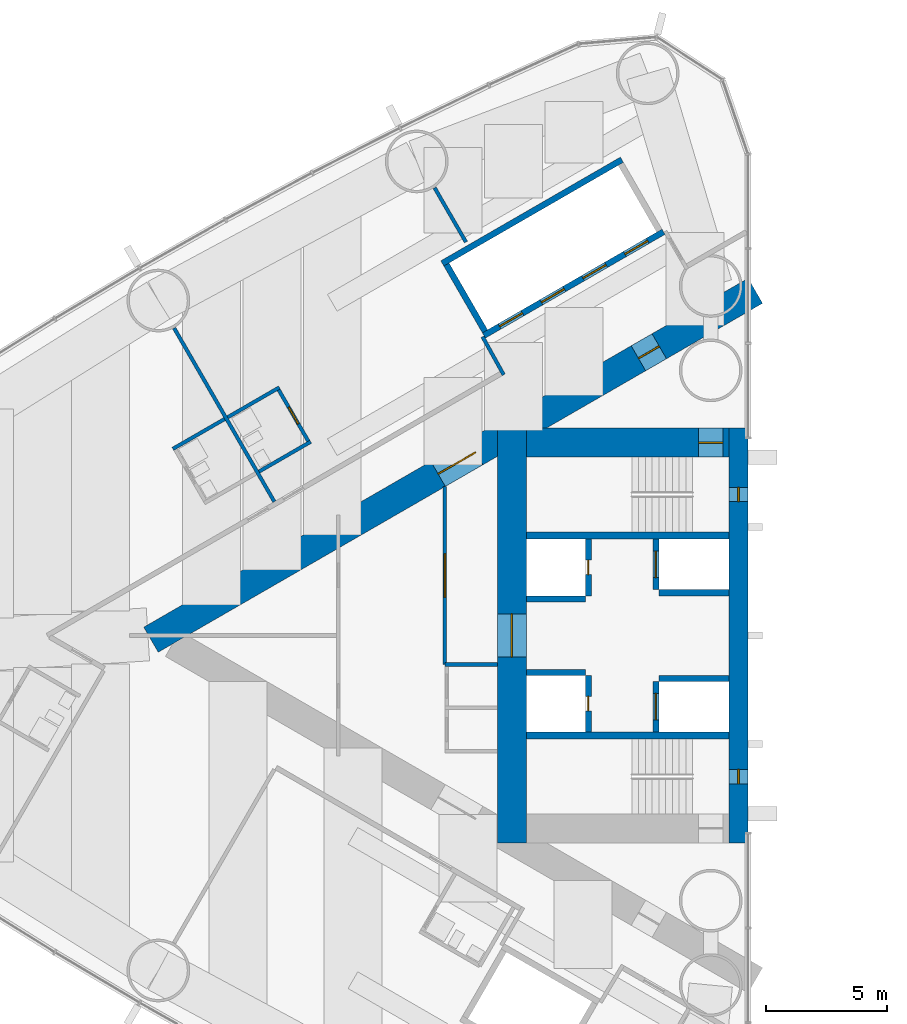
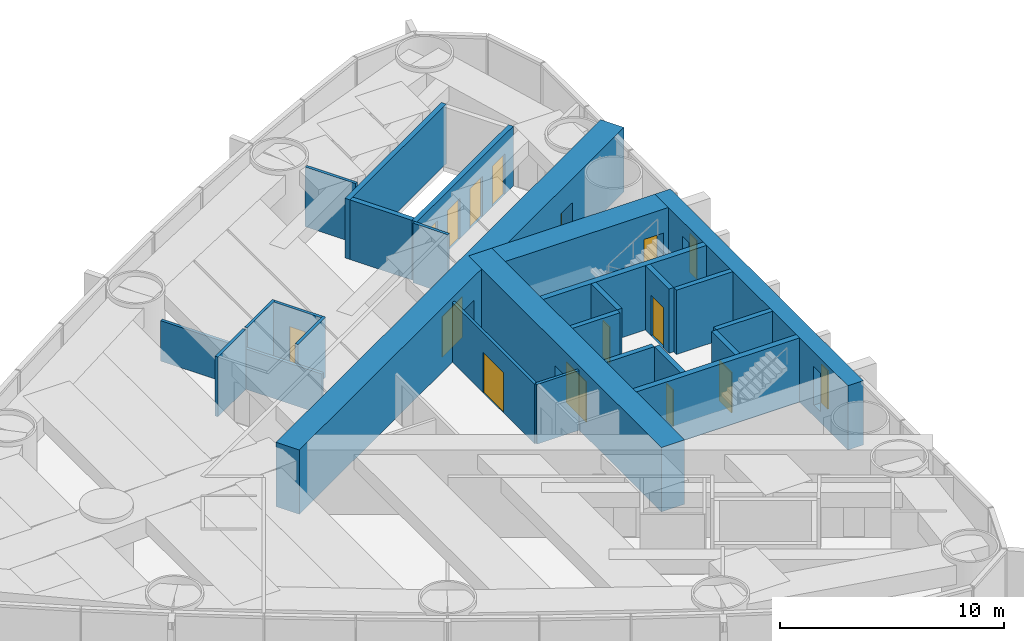
# One storey, part 12 of 19: 26 walls, 14 doors, 2 windows, 16 openings.
"""IFC4 building model written with IfcOpenShell, lengths in metres."""

import ifcopenshell
import ifcopenshell.guid

model = None  # the IFC model being written
_history = None  # IfcOwnerHistory: only IFC2X3 demands one
_inside = {}  # id of a spatial element -> (the spatial element, [elements in it])
_under = {}  # id of a project, library or spatial element -> (it, [spatial elements below it])
_declared = {}  # id of a project -> (the project, [libraries it declares])
_typed = {}  # id of a type object -> (the type object, [elements of that type])
_made_of = {}  # id of a material, layer set ... -> (it, [elements and type objects made of it])


def new_model(schema):
    """Start an empty IFC model of exactly this schema.

    Asked for "IFC4X3", IfcOpenShell would pick the latest addendum, in which some entities
    have other attributes; the version numbers below select the first issue.
    IFC2X3 requires an IfcOwnerHistory on every rooted entity: one is made here for all.
    """
    global model, _history
    if schema == "IFC4X3":
        model = ifcopenshell.file(schema_version=(4, 3, 0, 0))
    else:
        model = ifcopenshell.file(schema=schema)
    _inside.clear()
    _under.clear()
    _declared.clear()
    _typed.clear()
    _made_of.clear()
    _history = None
    if model.schema == "IFC2X3":
        org = make("IfcOrganization", Name="unknown")
        user = make(
            "IfcPersonAndOrganization",
            ThePerson=make("IfcPerson", FamilyName="unknown"),
            TheOrganization=org,
        )
        app = make(
            "IfcApplication",
            ApplicationDeveloper=org,
            Version="unknown",
            ApplicationFullName="unknown",
            ApplicationIdentifier="unknown",
        )
        _history = make(
            "IfcOwnerHistory",
            OwningUser=user,
            OwningApplication=app,
            ChangeAction="ADDED",
            CreationDate=0,
        )
    return model


def make(cls, **values):
    """One entity of the class cls with the attributes given. An attribute that is None is left unset."""
    return model.create_entity(
        cls, **{name: value for name, value in values.items() if value is not None}
    )


def rooted(cls, **values):
    """An entity with a GlobalId (a new one), such as an element, a storey or a relation."""
    return make(cls, GlobalId=ifcopenshell.guid.new(), OwnerHistory=_history, **values)


def si_unit(unit_type, name, prefix=None):
    """IfcSIUnit, for example si_unit("LENGTHUNIT", "METRE", prefix="MILLI")."""
    return make("IfcSIUnit", UnitType=unit_type, Prefix=prefix, Name=name)


def assignment(units):
    """IfcUnitAssignment: the units of a project."""
    return None if units is None else make("IfcUnitAssignment", Units=units)


def point(xyz):
    """IfcCartesianPoint."""
    return None if xyz is None else make("IfcCartesianPoint", Coordinates=xyz)


def direction(xyz):
    """IfcDirection."""
    return None if xyz is None else make("IfcDirection", DirectionRatios=xyz)


def frame(location, z_axis=None, x_axis=None):
    """IfcAxis2Placement3D, a coordinate frame: its origin and axes. An axis left out is left unset."""
    return make(
        "IfcAxis2Placement3D",
        Location=point(location),
        Axis=direction(z_axis),
        RefDirection=direction(x_axis),
    )


def frame_2d(location, x_axis=None):
    """IfcAxis2Placement2D, a coordinate frame in the plane: its origin and x axis."""
    return make(
        "IfcAxis2Placement2D", Location=point(location), RefDirection=direction(x_axis)
    )


def origin():
    """The frame at (0, 0, 0) with its axes left unset."""
    return frame((0.0, 0.0, 0.0))


def place(relative_to, where):
    """IfcLocalPlacement: puts the frame where relative to a parent placement (None: the world)."""
    return make(
        "IfcLocalPlacement", PlacementRelTo=relative_to, RelativePlacement=where
    )


def context(
    kind, dimensions, precision=None, world=None, true_north=None, identifier=None
):
    """IfcGeometricRepresentationContext, for example the 3D "Model" context."""
    return make(
        "IfcGeometricRepresentationContext",
        ContextIdentifier=identifier,
        ContextType=kind,
        CoordinateSpaceDimension=dimensions,
        Precision=precision,
        WorldCoordinateSystem=world,
        TrueNorth=true_north,
    )


def subcontext(parent, identifier, kind, view, scale=None):
    """IfcGeometricRepresentationSubContext, for example "Body" below "Model"."""
    return make(
        "IfcGeometricRepresentationSubContext",
        ContextIdentifier=identifier,
        ContextType=kind,
        ParentContext=parent,
        TargetScale=scale,
        TargetView=view,
    )


def project(units=None, contexts=None):
    """IfcProject with its units and contexts."""
    return rooted(
        "IfcProject",
        Name="project",
        RepresentationContexts=contexts,
        UnitsInContext=assignment(units),
    )


def spatial(cls, under=None, at=None, **own):
    """A site, building, storey or space (cls), placed at a placement, below another one or the project."""
    s = rooted(cls, ObjectPlacement=at, **own)
    if under is not None:
        _under.setdefault(under.id(), (under, []))[1].append(s)
    return s


def profile(cls, at=None, kind="AREA", **sizes):
    """A parametric profile (cls). Its sizes go by their IFC names, for example OverallWidth=200.0."""
    return make(cls, ProfileType=kind, Position=at, **sizes)


def rectangle(**sizes):
    """IfcRectangleProfileDef."""
    return profile("IfcRectangleProfileDef", **sizes)


def extrude(swept, where, along, depth):
    """IfcExtrudedAreaSolid: the profile swept, set in the frame where, extruded along a direction by depth."""
    return make(
        "IfcExtrudedAreaSolid",
        SweptArea=swept,
        Position=where,
        ExtrudedDirection=direction(along),
        Depth=depth,
    )


def shape(context_of_items, identifier, shape_type, items):
    """IfcShapeRepresentation: the items that make up one representation, for example the "Body"."""
    return make(
        "IfcShapeRepresentation",
        ContextOfItems=context_of_items,
        RepresentationIdentifier=identifier,
        RepresentationType=shape_type,
        Items=items,
    )


def material(Name=None, Category=None):
    """IfcMaterial."""
    return make("IfcMaterial", Name=Name, Category=Category)


def layer(
    of_material, thickness, ventilated=None, Name=None, Category=None, Priority=None
):
    """IfcMaterialLayer: one layer of a wall or slab, of a material (None: an air gap)."""
    return make(
        "IfcMaterialLayer",
        Material=of_material,
        LayerThickness=thickness,
        IsVentilated=ventilated,
        Name=Name,
        Category=Category,
        Priority=Priority,
    )


def layer_set(layers, Name=None):
    """IfcMaterialLayerSet."""
    return make("IfcMaterialLayerSet", MaterialLayers=layers, LayerSetName=Name)


def made_of(thing, what):
    """Note that an element or type object is made of a material, layer set ...; save() writes the relation."""
    if what is not None:
        _made_of.setdefault(what.id(), (what, []))[1].append(thing)
    return thing


def type_object(cls, material=None, **own):
    """A type object (cls), such as IfcWallType, which elements share."""
    return made_of(rooted(cls, **own), material)


def element(
    cls,
    number,
    at=None,
    inside=None,
    cuts=None,
    type_object=None,
    material=None,
    context=None,
    identifier="Body",
    shape_type=None,
    held_by="IfcProductDefinitionShape",
    body=None,
    shapes=None,
    **own,
):
    """One element of the class cls, such as IfcWall. Its Tag is "e" and its number.

    at: its placement. inside: the storey or other place that contains it. cuts: it is an
    opening in that element (IfcRelVoidsElement). A single representation is given by context,
    identifier, shape_type and body (its items); several are given by shapes. held_by: the class
    of the entity that holds the representations. save() writes the other relations.
    """
    e = rooted(cls, Tag="e%d" % number, ObjectPlacement=at, **own)
    if body is not None:
        shapes = [shape(context, identifier, shape_type, body)]
    if shapes is not None:
        e.Representation = make(held_by, Representations=shapes)
    if inside is not None:
        _inside.setdefault(inside.id(), (inside, []))[1].append(e)
    if cuts is not None:
        rooted(
            "IfcRelVoidsElement", RelatingBuildingElement=cuts, RelatedOpeningElement=e
        )
    if type_object is not None:
        _typed.setdefault(type_object.id(), (type_object, []))[1].append(e)
    return made_of(e, material)


def fill(opening, filler):
    """IfcRelFillsElement: the door or window that sits in an opening."""
    return rooted(
        "IfcRelFillsElement",
        RelatingOpeningElement=opening,
        RelatedBuildingElement=filler,
    )


def aggregate(whole, parts):
    """IfcRelAggregates: a whole, such as a stair, and the parts it consists of."""
    return rooted("IfcRelAggregates", RelatingObject=whole, RelatedObjects=parts)


def save(model, path):
    """Write the relations noted so far, then the file.

    IfcRelAggregates (storeys below a building ...), IfcRelContainedInSpatialStructure (elements
    in a storey), IfcRelDefinesByType, IfcRelAssociatesMaterial and IfcRelDeclares: one each for
    every whole, place, type object, material and project.
    """
    for whole, parts in _under.values():
        aggregate(whole, parts)
    for where, things in _inside.values():
        rooted(
            "IfcRelContainedInSpatialStructure",
            RelatedElements=things,
            RelatingStructure=where,
        )
    for kind, things in _typed.values():
        rooted("IfcRelDefinesByType", RelatedObjects=things, RelatingType=kind)
    for what, things in _made_of.values():
        rooted("IfcRelAssociatesMaterial", RelatedObjects=things, RelatingMaterial=what)
    for by, libraries in _declared.values():
        rooted("IfcRelDeclares", RelatingContext=by, RelatedDefinitions=libraries)
    model.write(path)


model = new_model("IFC4")

# Units and contexts
model_context = context("Model", 3, precision=1e-05, world=origin(), true_north=direction((0.0, 1.0)))
body_context = subcontext(model_context, "Body", "Model", "MODEL_VIEW")
ifc_project = project(units=[si_unit("LENGTHUNIT", "METRE"), si_unit("AREAUNIT", "SQUARE_METRE"), si_unit("VOLUMEUNIT", "CUBIC_METRE"), si_unit("PLANEANGLEUNIT", "RADIAN"), si_unit("MASSUNIT", "GRAM", prefix="KILO")], contexts=[model_context])

# Site, building, storey
site_placement = place(None, origin())
site = spatial("IfcSite", under=ifc_project, at=site_placement, CompositionType="ELEMENT")
building_placement = place(site_placement, origin())
building = spatial("IfcBuilding", under=site, at=building_placement, Name="Lancet Gate Hotel", CompositionType="ELEMENT")
storey_placement = place(building_placement, frame((0.0, 0.0, 111.60009765625)))
storey = spatial("IfcBuildingStorey", under=building, at=storey_placement, Name="L29", CompositionType="ELEMENT", Elevation=111.60009765625)

# Walls
ifc_material_1 = material(Name="Moisture resistant board partition")
ifc_layer_1 = layer(ifc_material_1, 0.14990234375)
ifc_layer_set_1 = layer_set([ifc_layer_1], Name="Bathroom wall 150")
wall_type_1 = type_object("IfcWallType", Name="Bathroom wall 150", PredefinedType="PARTITIONING", material=ifc_layer_set_1)
wall_1_placement = place(storey_placement, frame((-49.216064453125, 8.97900390625, 0.0), z_axis=(0.0, 0.0, 1.0), x_axis=(-0.866031185235, -0.4999899861, 0.0)))
element("IfcWall", 1, at=wall_1_placement, inside=storey, type_object=wall_type_1, Name="T1 bathroom wall 150 L29", PredefinedType="PARTITIONING", context=body_context, shape_type="SweptSolid", body=[
    extrude(rectangle(XDim=2.47509765625, YDim=0.14990234375, at=frame_2d((1.237548828125, 0.0))), origin(), (0.0, 0.0, 1.0), 3.25),
])
wall_2_placement = place(storey_placement, frame((-46.94287109375, 10.29150390625, 0.0), z_axis=(0.0, 0.0, 1.0), x_axis=(-0.866006523861, -0.500032699561, 0.0)))
element("IfcWall", 2, at=wall_2_placement, inside=storey, type_object=wall_type_1, Name="T1 bathroom wall 150 L29", PredefinedType="PARTITIONING", context=body_context, shape_type="SweptSolid", body=[
    extrude(rectangle(XDim=2.474853515625, YDim=0.14990234375, at=frame_2d((1.2373046875, 0.0))), origin(), (0.0, 0.0, 1.0), 3.25),
])

# Wall, opening, door
wall_3_placement = place(storey_placement, frame((-45.707763671875, 8.00244140625, 0.0), z_axis=(0.0, 0.0, 1.0), x_axis=(-0.500047596559, 0.865997922154, 0.0)))
wall_3 = element("IfcWall", 3, at=wall_3_placement, inside=storey, type_object=wall_type_1, Name="T1 bathroom wall 150 L29", PredefinedType="PARTITIONING", context=body_context, shape_type="SweptSolid", body=[
    extrude(rectangle(XDim=2.599853515625, YDim=0.14990234375, at=frame_2d((1.2998046875, 0.0))), origin(), (0.0, 0.0, 1.0), 3.25),
])
opening_1_placement = place(wall_3_placement, frame((0.89990234375, 0.0, 0.0)))
opening_1 = element("IfcOpeningElement", 4, at=opening_1_placement, cuts=wall_3, Name="Opening 2902-B", PredefinedType="OPENING", context=body_context, shape_type="SweptSolid", body=[
    extrude(rectangle(XDim=0.800048828125, YDim=2.199951171875, at=frame_2d((0.39990234375, 1.10009765625))), frame((0.0, 0.0849609375, 0.0), z_axis=(0.0, -1.0, 0.0), x_axis=(1.0, 0.0, 0.0)), (0.0, 0.0, 1.0), 0.169921875),
])
ifc_material_2 = material(Name="Timber door set", Category="wood")
door_type_1 = type_object("IfcDoorType", Name="Bathroom door 800", OperationType="SINGLE_SWING_RIGHT", PredefinedType="DOOR", material=ifc_material_2)
door_1_placement = place(opening_1_placement, origin())
door_1 = element("IfcDoor", 5, at=door_1_placement, inside=storey, type_object=door_type_1, Name="2902-B", OperationType="SINGLE_SWING_RIGHT", OverallHeight=2.199951171875, OverallWidth=0.800048828125, PredefinedType="DOOR", context=body_context, shape_type="SweptSolid", body=[
    extrude(rectangle(XDim=0.800048828125, YDim=2.199951171875, at=frame_2d((0.39990234375, 1.10009765625))), frame((0.0, 0.02490234375, 0.0), z_axis=(0.0, -1.0, 0.0), x_axis=(1.0, 0.0, 0.0)), (0.0, 0.0, 1.0), 0.050048828125),
])
fill(opening_1, door_1)

# Wall
wall_4_placement = place(storey_placement, frame((-45.642822265625, 8.039794921875, 0.0), z_axis=(0.0, 0.0, 1.0), x_axis=(-0.866006523861, -0.500032699561, 0.0)))
element("IfcWall", 6, at=wall_4_placement, inside=storey, type_object=wall_type_1, Name="T1 bathroom wall 150 L29", PredefinedType="PARTITIONING", context=body_context, shape_type="SweptSolid", body=[
    extrude(rectangle(XDim=2.474853515625, YDim=0.14990234375, at=frame_2d((1.2373046875, 0.0))), origin(), (0.0, 0.0, 1.0), 3.25),
])

# Wall, openings, doors
ifc_material_3 = material(Name="Concrete C70/85", Category="concrete")
ifc_layer_2 = layer(ifc_material_3, 1.199951171875)
ifc_layer_set_2 = layer_set([ifc_layer_2], Name="Buttress wall 1200")
wall_type_2 = type_object("IfcWallType", Name="Buttress wall 1200", PredefinedType="SHEAR", material=ifc_layer_set_2)
wall_5_placement = place(storey_placement, frame((-27.199951171875, 14.300048828125, 0.0), z_axis=(0.0, 0.0, 1.0), x_axis=(-0.866026593062, -0.499997940104, 0.0)))
wall_5 = element("IfcWall", 7, at=wall_5_placement, inside=storey, type_object=wall_type_2, Name="T1 buttress wall S L29", PredefinedType="SHEAR", context=body_context, shape_type="SweptSolid", body=[
    extrude(rectangle(XDim=28.9462890625, YDim=1.199951171875, at=frame_2d((14.47314453125, 0.0))), origin(), (0.0, 0.0, 1.0), 3.5),
])
opening_2_placement = place(wall_5_placement, frame((4.60009765625, 0.0, 0.0)))
opening_2 = element("IfcOpeningElement", 8, at=opening_2_placement, cuts=wall_5, Name="Opening T1-L29-LS", PredefinedType="OPENING", context=body_context, shape_type="SweptSolid", body=[
    extrude(rectangle(XDim=1.0, YDim=2.199951171875, at=frame_2d((0.5, 1.10009765625))), frame((0.0, 0.60986328125, 0.0), z_axis=(0.0, -1.0, 0.0), x_axis=(1.0, 0.0, 0.0)), (0.0, 0.0, 1.0), 1.219970703125),
])
opening_3_placement = place(wall_5_placement, frame((13.39453125, 0.0, 0.0)))
opening_3 = element("IfcOpeningElement", 9, at=opening_3_placement, cuts=wall_5, Name="Opening T1-L29-LHS", PredefinedType="OPENING", context=body_context, shape_type="SweptSolid", body=[
    extrude(rectangle(XDim=1.800048828125, YDim=2.199951171875, at=frame_2d((0.89990234375, 1.10009765625))), frame((0.0, 0.60986328125, 0.0), z_axis=(0.0, -1.0, 0.0), x_axis=(1.0, 0.0, 0.0)), (0.0, 0.0, 1.0), 1.219970703125),
])
ifc_material_4 = material(Name="Timber door set", Category="wood")
door_type_2 = type_object("IfcDoorType", Name="Lobby double door 1800", OperationType="DOUBLE_DOOR_SINGLE_SWING", PredefinedType="DOOR", material=ifc_material_4)
door_2_placement = place(opening_3_placement, origin())
door_2 = element("IfcDoor", 10, at=door_2_placement, inside=storey, type_object=door_type_2, Name="T1-L29-LHS", OperationType="DOUBLE_DOOR_SINGLE_SWING", OverallHeight=2.199951171875, OverallWidth=1.800048828125, PredefinedType="DOOR", context=body_context, shape_type="SweptSolid", body=[
    extrude(rectangle(XDim=1.800048828125, YDim=2.199951171875, at=frame_2d((0.89990234375, 1.10009765625))), frame((0.0, 0.02490234375, 0.0), z_axis=(0.0, -1.0, 0.0), x_axis=(1.0, 0.0, 0.0)), (0.0, 0.0, 1.0), 0.050048828125),
])
fill(opening_3, door_2)
ifc_material_5 = material(Name="Timber door set", Category="wood")
door_type_3 = type_object("IfcDoorType", Name="Stair lobby door 1000", OperationType="SINGLE_SWING_LEFT", PredefinedType="DOOR", material=ifc_material_5)
door_3_placement = place(opening_2_placement, origin())
door_3 = element("IfcDoor", 11, at=door_3_placement, inside=storey, type_object=door_type_3, Name="T1-L29-LS", OperationType="SINGLE_SWING_LEFT", OverallHeight=2.199951171875, OverallWidth=1.0, PredefinedType="DOOR", context=body_context, shape_type="SweptSolid", body=[
    extrude(rectangle(XDim=1.0, YDim=2.199951171875, at=frame_2d((0.5, 1.10009765625))), frame((0.0, 0.02490234375, 0.0), z_axis=(0.0, -1.0, 0.0), x_axis=(1.0, 0.0, 0.0)), (0.0, 0.0, 1.0), 0.050048828125),
])
fill(opening_2, door_3)

# Wall, opening, door
ifc_material_6 = material(Name="Concrete C70/85", Category="concrete")
ifc_layer_3 = layer(ifc_material_6, 1.199951171875)
ifc_layer_set_3 = layer_set([ifc_layer_3], Name="Core wall 1200")
wall_type_3 = type_object("IfcWallType", Name="Core wall 1200", PredefinedType="SHEAR", material=ifc_layer_set_3)
wall_6_placement = place(storey_placement, frame((-37.300048828125, 8.60009765625, 0.0), z_axis=(0.0, 0.0, 1.0), x_axis=(0.0, -1.0, 0.0)))
wall_6 = element("IfcWall", 12, at=wall_6_placement, inside=storey, type_object=wall_type_3, Name="T1 core wall back L29", PredefinedType="SHEAR", context=body_context, shape_type="SweptSolid", body=[
    extrude(rectangle(XDim=17.2001953125, YDim=1.199951171875, at=frame_2d((8.60009765625, 0.0))), origin(), (0.0, 0.0, 1.0), 3.5),
])
opening_4_placement = place(wall_6_placement, frame((7.699951171875, 0.0, 0.0)))
opening_4 = element("IfcOpeningElement", 13, at=opening_4_placement, cuts=wall_6, Name="Opening T1-L29-LL", PredefinedType="OPENING", context=body_context, shape_type="SweptSolid", body=[
    extrude(rectangle(XDim=1.800048828125, YDim=2.199951171875, at=frame_2d((0.89990234375, 1.10009765625))), frame((0.0, 0.60986328125, 0.0), z_axis=(0.0, -1.0, 0.0), x_axis=(1.0, 0.0, 0.0)), (0.0, 0.0, 1.0), 1.219970703125),
])
door_4_placement = place(opening_4_placement, origin())
door_4 = element("IfcDoor", 14, at=door_4_placement, inside=storey, type_object=door_type_2, Name="T1-L29-LL", OperationType="DOUBLE_DOOR_SINGLE_SWING", OverallHeight=2.199951171875, OverallWidth=1.800048828125, PredefinedType="DOOR", context=body_context, shape_type="SweptSolid", body=[
    extrude(rectangle(XDim=1.800048828125, YDim=2.199951171875, at=frame_2d((0.89990234375, 1.10009765625))), frame((0.0, 0.02490234375, 0.0), z_axis=(0.0, -1.0, 0.0), x_axis=(1.0, 0.0, 0.0)), (0.0, 0.0, 1.0), 0.050048828125),
])
fill(opening_4, door_4)

wall_7_placement = place(storey_placement, frame((-28.300048828125, 8.0, 0.0), z_axis=(0.0, 0.0, 1.0), x_axis=(-1.0, 0.0, 0.0)))
wall_7 = element("IfcWall", 15, at=wall_7_placement, inside=storey, type_object=wall_type_3, Name="T1 core wall side-S L29", PredefinedType="SHEAR", context=body_context, shape_type="SweptSolid", body=[
    extrude(rectangle(XDim=8.39990234375, YDim=1.199951171875, at=frame_2d((4.199951171875, 0.0))), origin(), (0.0, 0.0, 1.0), 3.5),
])
opening_5_placement = place(wall_7_placement, frame((0.25, 0.0, 0.0)))
opening_5 = element("IfcOpeningElement", 16, at=opening_5_placement, cuts=wall_7, Name="Opening T1-L29-ST1", PredefinedType="OPENING", context=body_context, shape_type="SweptSolid", body=[
    extrude(rectangle(XDim=1.0, YDim=2.199951171875, at=frame_2d((0.5, 1.10009765625))), frame((0.0, 0.60986328125, 0.0), z_axis=(0.0, -1.0, 0.0), x_axis=(1.0, 0.0, 0.0)), (0.0, 0.0, 1.0), 1.219970703125),
])
ifc_material_7 = material(Name="Timber door set", Category="wood")
door_type_4 = type_object("IfcDoorType", Name="Stair door 1000", OperationType="SINGLE_SWING_RIGHT", PredefinedType="DOOR", material=ifc_material_7)
door_5_placement = place(opening_5_placement, origin())
door_5 = element("IfcDoor", 17, at=door_5_placement, inside=storey, type_object=door_type_4, Name="T1-L29-ST1", OperationType="SINGLE_SWING_RIGHT", OverallHeight=2.199951171875, OverallWidth=1.0, PredefinedType="DOOR", context=body_context, shape_type="SweptSolid", body=[
    extrude(rectangle(XDim=1.0, YDim=2.199951171875, at=frame_2d((0.5, 1.10009765625))), frame((0.0, 0.02490234375, 0.0), z_axis=(0.0, -1.0, 0.0), x_axis=(1.0, 0.0, 0.0)), (0.0, 0.0, 1.0), 0.050048828125),
])
fill(opening_5, door_5)

# Wall, openings, windows
ifc_material_8 = material(Name="Concrete C70/85", Category="concrete")
ifc_layer_4 = layer(ifc_material_8, 0.800048828125)
ifc_layer_set_4 = layer_set([ifc_layer_4], Name="Core wall 800")
wall_type_4 = type_object("IfcWallType", Name="Core wall 800", PredefinedType="SHEAR", material=ifc_layer_set_4)
wall_8_placement = place(storey_placement, frame((-27.89990234375, 8.60009765625, 0.0), z_axis=(0.0, 0.0, 1.0), x_axis=(0.0, -1.0, 0.0)))
wall_8 = element("IfcWall", 18, at=wall_8_placement, inside=storey, type_object=wall_type_4, Name="T1 core wall front L29", PredefinedType="SHEAR", context=body_context, shape_type="SweptSolid", body=[
    extrude(rectangle(XDim=17.2001953125, YDim=0.800048828125, at=frame_2d((8.60009765625, 0.0))), origin(), (0.0, 0.0, 1.0), 3.5),
])
opening_6_placement = place(wall_8_placement, frame((2.449951171875, 0.0, 0.60009765625)))
opening_6 = element("IfcOpeningElement", 19, at=opening_6_placement, cuts=wall_8, Name="Opening LW1", PredefinedType="OPENING", context=body_context, shape_type="SweptSolid", body=[
    extrude(rectangle(XDim=0.60009765625, YDim=2.10009765625, at=frame_2d((0.300048828125, 1.050048828125))), frame((0.0, 0.409912109375, 0.0), z_axis=(0.0, -1.0, 0.0), x_axis=(1.0, 0.0, 0.0)), (0.0, 0.0, 1.0), 0.820068359375),
])
opening_7_placement = place(wall_8_placement, frame((14.14990234375, 0.0, 0.60009765625)))
opening_7 = element("IfcOpeningElement", 20, at=opening_7_placement, cuts=wall_8, Name="Opening LW1", PredefinedType="OPENING", context=body_context, shape_type="SweptSolid", body=[
    extrude(rectangle(XDim=0.60009765625, YDim=2.10009765625, at=frame_2d((0.300048828125, 1.050048828125))), frame((0.0, 0.409912109375, 0.0), z_axis=(0.0, -1.0, 0.0), x_axis=(1.0, 0.0, 0.0)), (0.0, 0.0, 1.0), 0.820068359375),
])
ifc_material_9 = material(Name="Fire-resisting glazed steel window", Category="steel")
window_type = type_object("IfcWindowType", Name="Lancet window 600x2100", PartitioningType="SINGLE_PANEL", PredefinedType="WINDOW", material=ifc_material_9)
window_1_placement = place(opening_6_placement, origin())
window_1 = element("IfcWindow", 21, at=window_1_placement, inside=storey, type_object=window_type, Name="T1 stair window S L29", OverallHeight=2.10009765625, OverallWidth=0.60009765625, PartitioningType="SINGLE_PANEL", PredefinedType="WINDOW", context=body_context, shape_type="SweptSolid", body=[
    extrude(rectangle(XDim=0.60009765625, YDim=2.10009765625, at=frame_2d((0.300048828125, 1.050048828125))), frame((0.0, 0.030029296875, 0.0), z_axis=(0.0, -1.0, 0.0), x_axis=(1.0, 0.0, 0.0)), (0.0, 0.0, 1.0), 0.06005859375),
])
fill(opening_6, window_1)
window_2_placement = place(opening_7_placement, origin())
window_2 = element("IfcWindow", 22, at=window_2_placement, inside=storey, type_object=window_type, Name="T1 stair window N L29", OverallHeight=2.10009765625, OverallWidth=0.60009765625, PartitioningType="SINGLE_PANEL", PredefinedType="WINDOW", context=body_context, shape_type="SweptSolid", body=[
    extrude(rectangle(XDim=0.60009765625, YDim=2.10009765625, at=frame_2d((0.300048828125, 1.050048828125))), frame((0.0, 0.030029296875, 0.0), z_axis=(0.0, -1.0, 0.0), x_axis=(1.0, 0.0, 0.0)), (0.0, 0.0, 1.0), 0.06005859375),
])
fill(opening_7, window_2)

# Wall, openings, doors
ifc_material_10 = material(Name="Gypsum board partition")
ifc_layer_5 = layer(ifc_material_10, 0.25)
ifc_layer_set_5 = layer_set([ifc_layer_5], Name="Lift shaft partition 250")
wall_type_5 = type_object("IfcWallType", Name="Lift shaft partition 250", PredefinedType="PARTITIONING", material=ifc_layer_set_5)
wall_9_placement = place(storey_placement, frame((-31.010498046875, 16.747314453125, 0.0), z_axis=(0.0, 0.0, 1.0), x_axis=(-0.866028165386, -0.499995216735, 0.0)))
wall_9 = element("IfcWall", 23, at=wall_9_placement, inside=storey, type_object=wall_type_5, Name="T1 lift shaft wall LR L29", PredefinedType="PARTITIONING", context=body_context, shape_type="SweptSolid", body=[
    extrude(rectangle(XDim=8.60009765625, YDim=0.25, at=frame_2d((4.300048828125, 0.0))), origin(), (0.0, 0.0, 1.0), 3.25),
])
opening_8_placement = place(wall_9_placement, frame((0.75, 0.0, 0.0)))
opening_8 = element("IfcOpeningElement", 24, at=opening_8_placement, cuts=wall_9, Name="Opening T1-LR1-L29", PredefinedType="OPENING", context=body_context, shape_type="SweptSolid", body=[
    extrude(rectangle(XDim=1.10009765625, YDim=2.199951171875, at=frame_2d((0.550048828125, 1.10009765625))), frame((0.0, 0.135009765625, 0.0), z_axis=(0.0, -1.0, 0.0), x_axis=(1.0, 0.0, 0.0)), (0.0, 0.0, 1.0), 0.27001953125),
])
opening_9_placement = place(wall_9_placement, frame((2.75, 0.0, 0.0)))
opening_9 = element("IfcOpeningElement", 25, at=opening_9_placement, cuts=wall_9, Name="Opening T1-LR2-L29", PredefinedType="OPENING", context=body_context, shape_type="SweptSolid", body=[
    extrude(rectangle(XDim=1.10009765625, YDim=2.199951171875, at=frame_2d((0.550048828125, 1.10009765625))), frame((0.0, 0.135009765625, 0.0), z_axis=(0.0, -1.0, 0.0), x_axis=(1.0, 0.0, 0.0)), (0.0, 0.0, 1.0), 0.27001953125),
])
opening_10_placement = place(wall_9_placement, frame((4.75, 0.0, 0.0)))
opening_10 = element("IfcOpeningElement", 26, at=opening_10_placement, cuts=wall_9, Name="Opening T1-LR3-L29", PredefinedType="OPENING", context=body_context, shape_type="SweptSolid", body=[
    extrude(rectangle(XDim=1.10009765625, YDim=2.199951171875, at=frame_2d((0.550048828125, 1.10009765625))), frame((0.0, 0.135009765625, 0.0), z_axis=(0.0, -1.0, 0.0), x_axis=(1.0, 0.0, 0.0)), (0.0, 0.0, 1.0), 0.27001953125),
])
opening_11_placement = place(wall_9_placement, frame((6.75, 0.0, 0.0)))
opening_11 = element("IfcOpeningElement", 27, at=opening_11_placement, cuts=wall_9, Name="Opening T1-LR4-L29", PredefinedType="OPENING", context=body_context, shape_type="SweptSolid", body=[
    extrude(rectangle(XDim=1.10009765625, YDim=2.199951171875, at=frame_2d((0.550048828125, 1.10009765625))), frame((0.0, 0.135009765625, 0.0), z_axis=(0.0, -1.0, 0.0), x_axis=(1.0, 0.0, 0.0)), (0.0, 0.0, 1.0), 0.27001953125),
])
ifc_material_11 = material(Name="Steel door set", Category="steel")
door_type_5 = type_object("IfcDoorType", Name="Lift landing door 1100", OperationType="DOUBLE_DOOR_SLIDING", PredefinedType="USERDEFINED", material=ifc_material_11)
door_6_placement = place(opening_8_placement, origin())
door_6 = element("IfcDoor", 28, at=door_6_placement, inside=storey, type_object=door_type_5, Name="T1-LR1-L29", ObjectType="LIFT LANDING DOOR", OperationType="DOUBLE_DOOR_SLIDING", OverallHeight=2.199951171875, OverallWidth=1.10009765625, PredefinedType="USERDEFINED", context=body_context, shape_type="SweptSolid", body=[
    extrude(rectangle(XDim=1.10009765625, YDim=2.199951171875, at=frame_2d((0.550048828125, 1.10009765625))), frame((0.0, 0.02490234375, 0.0), z_axis=(0.0, -1.0, 0.0), x_axis=(1.0, 0.0, 0.0)), (0.0, 0.0, 1.0), 0.050048828125),
])
fill(opening_8, door_6)
door_7_placement = place(opening_9_placement, origin())
door_7 = element("IfcDoor", 29, at=door_7_placement, inside=storey, type_object=door_type_5, Name="T1-LR2-L29", ObjectType="LIFT LANDING DOOR", OperationType="DOUBLE_DOOR_SLIDING", OverallHeight=2.199951171875, OverallWidth=1.10009765625, PredefinedType="USERDEFINED", context=body_context, shape_type="SweptSolid", body=[
    extrude(rectangle(XDim=1.10009765625, YDim=2.199951171875, at=frame_2d((0.550048828125, 1.10009765625))), frame((0.0, 0.02490234375, 0.0), z_axis=(0.0, -1.0, 0.0), x_axis=(1.0, 0.0, 0.0)), (0.0, 0.0, 1.0), 0.050048828125),
])
fill(opening_9, door_7)
door_8_placement = place(opening_10_placement, origin())
door_8 = element("IfcDoor", 30, at=door_8_placement, inside=storey, type_object=door_type_5, Name="T1-LR3-L29", ObjectType="LIFT LANDING DOOR", OperationType="DOUBLE_DOOR_SLIDING", OverallHeight=2.199951171875, OverallWidth=1.10009765625, PredefinedType="USERDEFINED", context=body_context, shape_type="SweptSolid", body=[
    extrude(rectangle(XDim=1.10009765625, YDim=2.199951171875, at=frame_2d((0.550048828125, 1.10009765625))), frame((0.0, 0.02490234375, 0.0), z_axis=(0.0, -1.0, 0.0), x_axis=(1.0, 0.0, 0.0)), (0.0, 0.0, 1.0), 0.050048828125),
])
fill(opening_10, door_8)
door_9_placement = place(opening_11_placement, origin())
door_9 = element("IfcDoor", 31, at=door_9_placement, inside=storey, type_object=door_type_5, Name="T1-LR4-L29", ObjectType="LIFT LANDING DOOR", OperationType="DOUBLE_DOOR_SLIDING", OverallHeight=2.199951171875, OverallWidth=1.10009765625, PredefinedType="USERDEFINED", context=body_context, shape_type="SweptSolid", body=[
    extrude(rectangle(XDim=1.10009765625, YDim=2.199951171875, at=frame_2d((0.550048828125, 1.10009765625))), frame((0.0, 0.02490234375, 0.0), z_axis=(0.0, -1.0, 0.0), x_axis=(1.0, 0.0, 0.0)), (0.0, 0.0, 1.0), 0.050048828125),
])
fill(opening_11, door_9)

# Walls
wall_10_placement = place(storey_placement, frame((-32.735595703125, 19.73583984375, 0.0), z_axis=(0.0, 0.0, 1.0), x_axis=(-0.866028165386, -0.499995216735, 0.0)))
element("IfcWall", 32, at=wall_10_placement, inside=storey, type_object=wall_type_5, Name="T1 lift shaft wall LR L29", PredefinedType="PARTITIONING", context=body_context, shape_type="SweptSolid", body=[
    extrude(rectangle(XDim=8.60009765625, YDim=0.25, at=frame_2d((4.300048828125, 0.0))), origin(), (0.0, 0.0, 1.0), 3.25),
])
wall_11_placement = place(storey_placement, frame((-38.412841796875, 12.617919921875, 0.0), z_axis=(0.0, 0.0, 1.0), x_axis=(-0.499872130319, 0.866099216793, 0.0)))
element("IfcWall", 33, at=wall_11_placement, inside=storey, type_object=wall_type_5, Name="T1 lift shaft wall LR L29", PredefinedType="PARTITIONING", context=body_context, shape_type="SweptSolid", body=[
    extrude(rectangle(XDim=3.200439453125, YDim=0.25, at=frame_2d((1.60009765625, 0.0))), origin(), (0.0, 0.0, 1.0), 3.25),
])

# Wall, opening, door
ifc_material_12 = material(Name="Concrete C50/60", Category="concrete")
ifc_layer_6 = layer(ifc_material_12, 0.25)
ifc_layer_set_6 = layer_set([ifc_layer_6], Name="Lift shaft wall 250")
wall_type_6 = type_object("IfcWallType", Name="Lift shaft wall 250", PredefinedType="SHEAR", material=ifc_layer_set_6)
wall_12_placement = place(storey_placement, frame((-31.324951171875, 4.0, 0.0), z_axis=(0.0, 0.0, 1.0), x_axis=(0.0, -1.0, 0.0)))
wall_12 = element("IfcWall", 34, at=wall_12_placement, inside=storey, type_object=wall_type_6, Name="T1 core wall row1-S L29", PredefinedType="SHEAR", context=body_context, shape_type="SweptSolid", body=[
    extrude(rectangle(XDim=2.10009765625, YDim=0.25, at=frame_2d((1.050048828125, 0.0))), origin(), (0.0, 0.0, 1.0), 3.5),
])
opening_12_placement = place(wall_12_placement, frame((0.5, 0.0, 0.0)))
opening_12 = element("IfcOpeningElement", 35, at=opening_12_placement, cuts=wall_12, Name="Opening T1-SL1-L29", PredefinedType="OPENING", context=body_context, shape_type="SweptSolid", body=[
    extrude(rectangle(XDim=1.10009765625, YDim=2.199951171875, at=frame_2d((0.550048828125, 1.10009765625))), frame((0.0, 0.135009765625, 0.0), z_axis=(0.0, -1.0, 0.0), x_axis=(1.0, 0.0, 0.0)), (0.0, 0.0, 1.0), 0.27001953125),
])
ifc_material_13 = material(Name="Timber door set", Category="wood")
door_type_6 = type_object("IfcDoorType", Name="Service lift landing door 1100", OperationType="SLIDING_TO_LEFT", PredefinedType="USERDEFINED", material=ifc_material_13)
door_10_placement = place(opening_12_placement, origin())
door_10 = element("IfcDoor", 36, at=door_10_placement, inside=storey, type_object=door_type_6, Name="T1-SL1-L29", ObjectType="LIFT LANDING DOOR", OperationType="SLIDING_TO_LEFT", OverallHeight=2.199951171875, OverallWidth=1.10009765625, PredefinedType="USERDEFINED", context=body_context, shape_type="SweptSolid", body=[
    extrude(rectangle(XDim=1.10009765625, YDim=2.199951171875, at=frame_2d((0.550048828125, 1.10009765625))), frame((0.0, 0.02490234375, 0.0), z_axis=(0.0, -1.0, 0.0), x_axis=(1.0, 0.0, 0.0)), (0.0, 0.0, 1.0), 0.050048828125),
])
fill(opening_12, door_10)

wall_13_placement = place(storey_placement, frame((-34.125, 4.0, 0.0), z_axis=(0.0, 0.0, 1.0), x_axis=(0.0, -1.0, 0.0)))
wall_13 = element("IfcWall", 37, at=wall_13_placement, inside=storey, type_object=wall_type_6, Name="T1 core wall row2-S L29", PredefinedType="SHEAR", context=body_context, shape_type="SweptSolid", body=[
    extrude(rectangle(XDim=2.35009765625, YDim=0.25, at=frame_2d((1.175048828125, 0.0))), origin(), (0.0, 0.0, 1.0), 3.5),
])
opening_13_placement = place(wall_13_placement, frame((0.875, 0.0, 0.0)))
opening_13 = element("IfcOpeningElement", 38, at=opening_13_placement, cuts=wall_13, Name="Opening T1-OL3-L29-E", PredefinedType="OPENING", context=body_context, shape_type="SweptSolid", body=[
    extrude(rectangle(XDim=0.60009765625, YDim=2.0, at=frame_2d((0.300048828125, 1.0))), frame((0.0, 0.135009765625, 0.0), z_axis=(0.0, -1.0, 0.0), x_axis=(1.0, 0.0, 0.0)), (0.0, 0.0, 1.0), 0.27001953125),
])
ifc_material_14 = material(Name="Steel door set", Category="steel")
door_type_7 = type_object("IfcDoorType", Name="Lift shaft emergency door 600x2000", OperationType="SLIDING_TO_LEFT", PredefinedType="DOOR", material=ifc_material_14)
door_11_placement = place(opening_13_placement, origin())
door_11 = element("IfcDoor", 39, at=door_11_placement, inside=storey, type_object=door_type_7, Name="T1-OL3-L29-E", OperationType="SLIDING_TO_LEFT", OverallHeight=2.0, OverallWidth=0.60009765625, PredefinedType="DOOR", context=body_context, shape_type="SweptSolid", body=[
    extrude(rectangle(XDim=0.60009765625, YDim=2.0, at=frame_2d((0.300048828125, 1.0))), frame((0.0, 0.02490234375, 0.0), z_axis=(0.0, -1.0, 0.0), x_axis=(1.0, 0.0, 0.0)), (0.0, 0.0, 1.0), 0.050048828125),
])
fill(opening_13, door_11)

# Walls
wall_14_placement = place(storey_placement, frame((-28.300048828125, 1.77490234375, 0.0), z_axis=(0.0, 0.0, 1.0), x_axis=(-1.0, 0.0, 0.0)))
element("IfcWall", 40, at=wall_14_placement, inside=storey, type_object=wall_type_6, Name="T1 core wall pass1-S L29", PredefinedType="SHEAR", context=body_context, shape_type="SweptSolid", body=[
    extrude(rectangle(XDim=2.89990234375, YDim=0.25, at=frame_2d((1.449951171875, 0.0))), origin(), (0.0, 0.0, 1.0), 3.5),
])
wall_15_placement = place(storey_placement, frame((-34.25, 1.52490234375, 0.0), z_axis=(0.0, 0.0, 1.0), x_axis=(-1.0, 0.0, 0.0)))
element("IfcWall", 41, at=wall_15_placement, inside=storey, type_object=wall_type_6, Name="T1 core wall pass2-S L29", PredefinedType="SHEAR", context=body_context, shape_type="SweptSolid", body=[
    extrude(rectangle(XDim=2.449951171875, YDim=0.25, at=frame_2d((1.22509765625, 0.0))), origin(), (0.0, 0.0, 1.0), 3.5),
])

# Wall, opening, door
wall_16_placement = place(storey_placement, frame((-31.324951171875, -1.89990234375, 0.0), z_axis=(0.0, 0.0, 1.0), x_axis=(0.0, -1.0, 0.0)))
wall_16 = element("IfcWall", 42, at=wall_16_placement, inside=storey, type_object=wall_type_6, Name="T1 core wall row1-N L29", PredefinedType="SHEAR", context=body_context, shape_type="SweptSolid", body=[
    extrude(rectangle(XDim=2.10009765625, YDim=0.25, at=frame_2d((1.050048828125, 0.0))), origin(), (0.0, 0.0, 1.0), 3.5),
])
opening_14_placement = place(wall_16_placement, frame((0.5, 0.0, 0.0)))
opening_14 = element("IfcOpeningElement", 43, at=opening_14_placement, cuts=wall_16, Name="Opening T1-FL2-L29", PredefinedType="OPENING", context=body_context, shape_type="SweptSolid", body=[
    extrude(rectangle(XDim=1.10009765625, YDim=2.199951171875, at=frame_2d((0.550048828125, 1.10009765625))), frame((0.0, 0.135009765625, 0.0), z_axis=(0.0, -1.0, 0.0), x_axis=(1.0, 0.0, 0.0)), (0.0, 0.0, 1.0), 0.27001953125),
])
ifc_material_15 = material(Name="Steel door set", Category="steel")
door_type_8 = type_object("IfcDoorType", Name="Firefighting lift landing door 1100", OperationType="SLIDING_TO_LEFT", PredefinedType="USERDEFINED", material=ifc_material_15)
door_12_placement = place(opening_14_placement, origin())
door_12 = element("IfcDoor", 44, at=door_12_placement, inside=storey, type_object=door_type_8, Name="T1-FL2-L29", ObjectType="LIFT LANDING DOOR", OperationType="SLIDING_TO_LEFT", OverallHeight=2.199951171875, OverallWidth=1.10009765625, PredefinedType="USERDEFINED", context=body_context, shape_type="SweptSolid", body=[
    extrude(rectangle(XDim=1.10009765625, YDim=2.199951171875, at=frame_2d((0.550048828125, 1.10009765625))), frame((0.0, 0.02490234375, 0.0), z_axis=(0.0, -1.0, 0.0), x_axis=(1.0, 0.0, 0.0)), (0.0, 0.0, 1.0), 0.050048828125),
])
fill(opening_14, door_12)

wall_17_placement = place(storey_placement, frame((-34.125, -1.64990234375, 0.0), z_axis=(0.0, 0.0, 1.0), x_axis=(0.0, -1.0, 0.0)))
wall_17 = element("IfcWall", 45, at=wall_17_placement, inside=storey, type_object=wall_type_6, Name="T1 core wall row2-N L29", PredefinedType="SHEAR", context=body_context, shape_type="SweptSolid", body=[
    extrude(rectangle(XDim=2.35009765625, YDim=0.25, at=frame_2d((1.175048828125, 0.0))), origin(), (0.0, 0.0, 1.0), 3.5),
])
opening_15_placement = place(wall_17_placement, frame((0.875, 0.0, 0.0)))
opening_15 = element("IfcOpeningElement", 46, at=opening_15_placement, cuts=wall_17, Name="Opening T1-OL4-L29-E", PredefinedType="OPENING", context=body_context, shape_type="SweptSolid", body=[
    extrude(rectangle(XDim=0.60009765625, YDim=2.0, at=frame_2d((0.300048828125, 1.0))), frame((0.0, 0.135009765625, 0.0), z_axis=(0.0, -1.0, 0.0), x_axis=(1.0, 0.0, 0.0)), (0.0, 0.0, 1.0), 0.27001953125),
])
door_13_placement = place(opening_15_placement, origin())
door_13 = element("IfcDoor", 47, at=door_13_placement, inside=storey, type_object=door_type_7, Name="T1-OL4-L29-E", OperationType="SLIDING_TO_LEFT", OverallHeight=2.0, OverallWidth=0.60009765625, PredefinedType="DOOR", context=body_context, shape_type="SweptSolid", body=[
    extrude(rectangle(XDim=0.60009765625, YDim=2.0, at=frame_2d((0.300048828125, 1.0))), frame((0.0, 0.02490234375, 0.0), z_axis=(0.0, -1.0, 0.0), x_axis=(1.0, 0.0, 0.0)), (0.0, 0.0, 1.0), 0.050048828125),
])
fill(opening_15, door_13)

# Walls
wall_18_placement = place(storey_placement, frame((-28.300048828125, -1.77490234375, 0.0), z_axis=(0.0, 0.0, 1.0), x_axis=(-1.0, 0.0, 0.0)))
element("IfcWall", 48, at=wall_18_placement, inside=storey, type_object=wall_type_6, Name="T1 core wall pass1-N L29", PredefinedType="SHEAR", context=body_context, shape_type="SweptSolid", body=[
    extrude(rectangle(XDim=2.89990234375, YDim=0.25, at=frame_2d((1.449951171875, 0.0))), origin(), (0.0, 0.0, 1.0), 3.5),
])
wall_19_placement = place(storey_placement, frame((-34.25, -1.52490234375, 0.0), z_axis=(0.0, 0.0, 1.0), x_axis=(-1.0, 0.0, 0.0)))
element("IfcWall", 49, at=wall_19_placement, inside=storey, type_object=wall_type_6, Name="T1 core wall pass2-N L29", PredefinedType="SHEAR", context=body_context, shape_type="SweptSolid", body=[
    extrude(rectangle(XDim=2.449951171875, YDim=0.25, at=frame_2d((1.22509765625, 0.0))), origin(), (0.0, 0.0, 1.0), 3.5),
])
ifc_material_16 = material(Name="Gypsum board partition")
ifc_layer_7 = layer(ifc_material_16, 0.14990234375)
ifc_layer_set_7 = layer_set([ifc_layer_7], Name="Party wall 150")
wall_type_7 = type_object("IfcWallType", Name="Party wall 150", PredefinedType="PARTITIONING", material=ifc_layer_set_7)
wall_20_placement = place(storey_placement, frame((-47.151123046875, 5.552490234375, 0.0), z_axis=(0.0, 0.0, 1.0), x_axis=(-0.500003012045, 0.866023664773, 0.0)))
element("IfcWall", 50, at=wall_20_placement, inside=storey, type_object=wall_type_7, Name="T1 party wall 150 L29", PredefinedType="PARTITIONING", context=body_context, shape_type="SweptSolid", body=[
    extrude(rectangle(XDim=8.31103515625, YDim=0.14990234375, at=frame_2d((4.155517578125, 0.0))), origin(), (0.0, 0.0, 1.0), 2.199951171875),
])
wall_21_placement = place(storey_placement, frame((-39.202392578125, 16.31982421875, 0.0), z_axis=(0.0, 0.0, 1.0), x_axis=(-0.499947391036, 0.866055775454, 0.0)))
element("IfcWall", 51, at=wall_21_placement, inside=storey, type_object=wall_type_7, Name="T1 party wall 150 L29", PredefinedType="PARTITIONING", context=body_context, shape_type="SweptSolid", body=[
    extrude(rectangle(XDim=2.599365234375, YDim=0.14990234375, at=frame_2d((1.2998046875, 0.0))), origin(), (0.0, 0.0, 1.0), 3.25),
])
ifc_material_17 = material(Name="Gypsum board partition")
ifc_layer_8 = layer(ifc_material_17, 0.14990234375)
ifc_layer_set_8 = layer_set([ifc_layer_8], Name="Service room wall 150")
wall_type_8 = type_object("IfcWallType", Name="Service room wall 150", PredefinedType="PARTITIONING", material=ifc_layer_set_8)
wall_22_placement = place(storey_placement, frame((-38.513427734375, 12.392333984375, 0.0), z_axis=(0.0, 0.0, 1.0), x_axis=(0.485585508183, -0.874189175317, 0.0)))
element("IfcWall", 52, at=wall_22_placement, inside=storey, type_object=wall_type_8, Name="T1 service room wall 150 L29", PredefinedType="PARTITIONING", context=body_context, shape_type="SweptSolid", body=[
    extrude(rectangle(XDim=1.804931640625, YDim=0.14990234375, at=frame_2d((0.90234375, 0.0))), origin(), (0.0, 0.0, 1.0), 3.25),
])
wall_23_placement = place(storey_placement, frame((-37.89990234375, -1.199951171875, 0.0), z_axis=(0.0, 0.0, 1.0), x_axis=(-1.0, 0.0, 0.0)))
element("IfcWall", 53, at=wall_23_placement, inside=storey, type_object=wall_type_8, Name="T1 service room wall 150 L29", PredefinedType="PARTITIONING", context=body_context, shape_type="SweptSolid", body=[
    extrude(rectangle(XDim=2.175048828125, YDim=0.14990234375, at=frame_2d((1.08740234375, 0.0))), origin(), (0.0, 0.0, 1.0), 3.25),
])

# Wall, opening, door
wall_24_placement = place(storey_placement, frame((-40.074951171875, 6.173828125, 0.0), z_axis=(0.0, 0.0, 1.0), x_axis=(0.0, -1.0, 0.0)))
wall_24 = element("IfcWall", 54, at=wall_24_placement, inside=storey, type_object=wall_type_8, Name="T1 service room wall 150 L29", PredefinedType="PARTITIONING", context=body_context, shape_type="SweptSolid", body=[
    extrude(rectangle(XDim=7.373779296875, YDim=0.14990234375, at=frame_2d((3.68701171875, 0.0))), origin(), (0.0, 0.0, 1.0), 3.25),
])
opening_16_placement = place(wall_24_placement, frame((2.786865234375, 0.0, 0.0)))
opening_16 = element("IfcOpeningElement", 55, at=opening_16_placement, cuts=wall_24, Name="Opening T1-L29-LH", PredefinedType="OPENING", context=body_context, shape_type="SweptSolid", body=[
    extrude(rectangle(XDim=1.800048828125, YDim=2.199951171875, at=frame_2d((0.89990234375, 1.10009765625))), frame((0.0, 0.0849609375, 0.0), z_axis=(0.0, -1.0, 0.0), x_axis=(1.0, 0.0, 0.0)), (0.0, 0.0, 1.0), 0.169921875),
])
door_14_placement = place(opening_16_placement, origin())
door_14 = element("IfcDoor", 56, at=door_14_placement, inside=storey, type_object=door_type_2, Name="T1-L29-LH", OperationType="DOUBLE_DOOR_SINGLE_SWING", OverallHeight=2.199951171875, OverallWidth=1.800048828125, PredefinedType="DOOR", context=body_context, shape_type="SweptSolid", body=[
    extrude(rectangle(XDim=1.800048828125, YDim=2.199951171875, at=frame_2d((0.89990234375, 1.10009765625))), frame((0.0, 0.02490234375, 0.0), z_axis=(0.0, -1.0, 0.0), x_axis=(1.0, 0.0, 0.0)), (0.0, 0.0, 1.0), 0.050048828125),
])
fill(opening_16, door_14)

# Walls
ifc_material_18 = material(Name="Concrete C50/60", Category="concrete")
ifc_layer_9 = layer(ifc_material_18, 0.300048828125)
ifc_layer_set_9 = layer_set([ifc_layer_9], Name="Stair enclosure wall 300")
wall_type_9 = type_object("IfcWallType", Name="Stair enclosure wall 300", PredefinedType="SHEAR", material=ifc_layer_set_9)
for number, where, z_axis, x_axis, name in (
    (57, (-28.300048828125, 4.14990234375, 0.0), (0.0, 0.0, 1.0), (-1.0, 0.0, 0.0), "T1 core wall stair-S L29"),
    (58, (-28.300048828125, -4.14990234375, 0.0), (0.0, 0.0, 1.0), (-1.0, 0.0, 0.0), "T1 core wall stair-N L29"),
):
    element("IfcWall", number, at=place(storey_placement, frame(where, z_axis=z_axis, x_axis=x_axis)), inside=storey, type_object=wall_type_9, Name=name, PredefinedType="SHEAR", context=body_context, shape_type="SweptSolid", body=[
        extrude(rectangle(XDim=8.39990234375, YDim=0.300048828125, at=frame_2d((4.199951171875, 0.0))), origin(), (0.0, 0.0, 1.0), 3.5),
    ])

save(model, "model.ifc")
